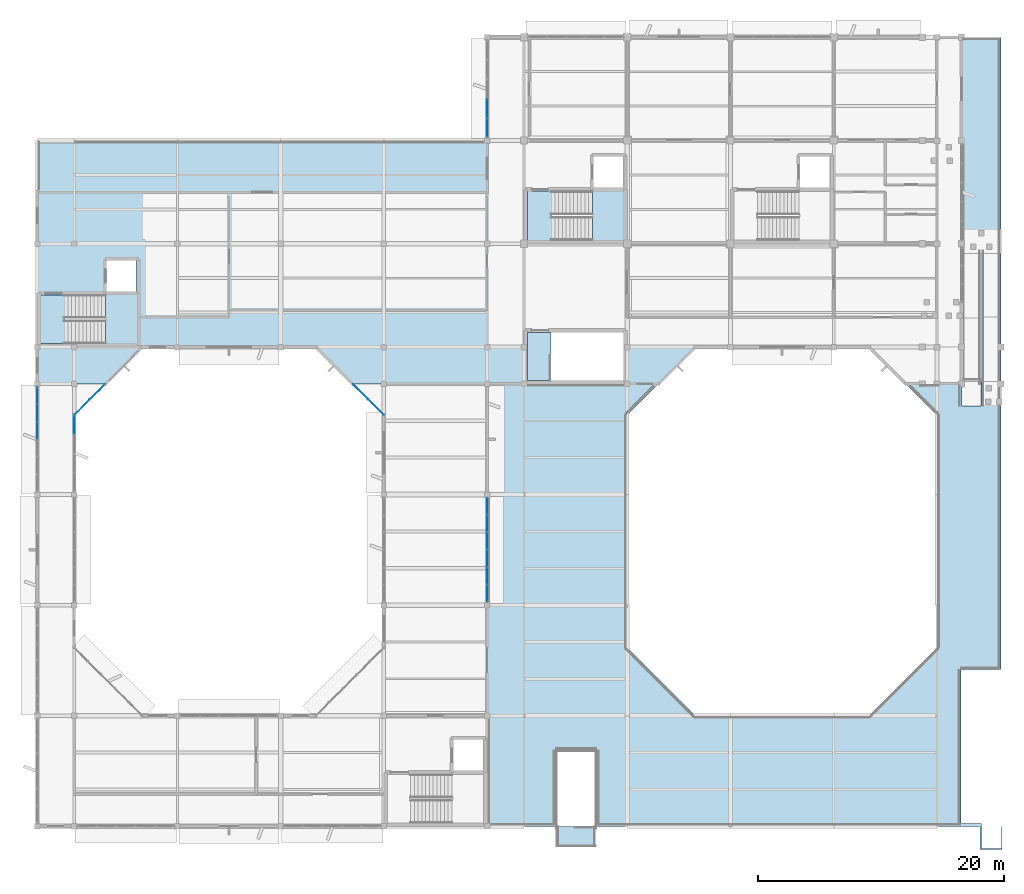
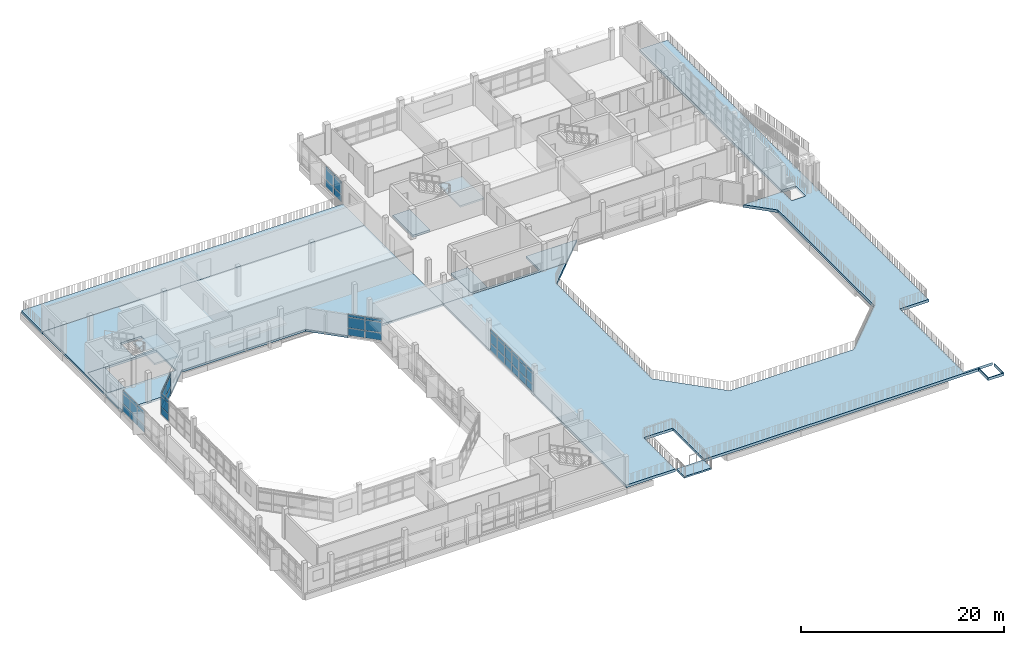
# One storey, part 19 of 42: 48 plates, 10 slabs, 8 elements without a shape of their own.
"""IFC4 building model written with IfcOpenShell, lengths in metres."""

from ifc_helpers import new_model, si_unit, direction, frame, origin, origin_2d, place, context, subcontext, project, spatial, polyline, rectangle, outline, extrude, material, layer, layer_set, type_object, element, aggregate, save


model = new_model("IFC4")

# Units and contexts
model_context = context("Model", 3, precision=1e-05, world=origin(), true_north=direction((0.0, 1.0)))
body_context = subcontext(model_context, "Body", "Model", "MODEL_VIEW")
ifc_project = project(units=[si_unit("LENGTHUNIT", "METRE"), si_unit("AREAUNIT", "SQUARE_METRE"), si_unit("VOLUMEUNIT", "CUBIC_METRE"), si_unit("PLANEANGLEUNIT", "RADIAN"), si_unit("MASSUNIT", "GRAM", prefix="KILO")], contexts=[model_context])

# Site, building, storey
site_placement = place(None, origin())
site = spatial("IfcSite", under=ifc_project, at=site_placement, CompositionType="ELEMENT")
building_placement = place(site_placement, origin())
building = spatial("IfcBuilding", under=site, at=building_placement, Name="Vanh Quang Courtyard School", CompositionType="ELEMENT")
storey_placement = place(building_placement, frame((0.0, 0.0, 15.0)))
storey = spatial("IfcBuildingStorey", under=building, at=storey_placement, Name="L04", CompositionType="ELEMENT", Elevation=15.0)

# Curtain wall, plates
ifc_material_1 = material(Name="Thermally broken aluminium unitised curtain wall", Category="aluminium")
curtain_wall_type_1 = type_object("IfcCurtainWallType", Name="CW-SYS-50", PredefinedType="NOTDEFINED", material=ifc_material_1)
curtain_wall_1_placement = place(storey_placement, origin())
curtain_wall_1 = element("IfcCurtainWall", 1, at=curtain_wall_1_placement, inside=storey, type_object=curtain_wall_type_1, Name="Curtain Wall CW-50 (L04)", PredefinedType="NOTDEFINED")
ifc_material_2 = material(Name="Low-E laminated double glazing", Category="glass")
ifc_layer_1 = layer(ifc_material_2, 0.028076171875)
ifc_layer_set_1 = layer_set([ifc_layer_1], Name="Low-E laminated double glazing")
plate_type_1 = type_object("IfcPlateType", Name="CW-PNL-28", PredefinedType="CURTAIN_PANEL", material=ifc_layer_set_1)
plate_1_placement = place(storey_placement, frame((37.800048828125, 64.611083984375, 0.06005859375), z_axis=(0.0, 0.0, 1.0), x_axis=(0.0, 1.0, 0.0)))
plate_1 = element("IfcPlate", 2, at=plate_1_placement, type_object=plate_type_1, Name="CW-50 panel 4.1", PredefinedType="CURTAIN_PANEL", context=body_context, shape_type="SweptSolid", body=[
    extrude(rectangle(XDim=1.3623046875, YDim=0.028076171875, at=origin_2d()), origin(), (0.0, 0.0, 1.0), 0.860107421875),
])
plate_2_placement = place(storey_placement, frame((37.800048828125, 64.611083984375, 0.97998046875), z_axis=(0.0, 0.0, 1.0), x_axis=(0.0, 1.0, 0.0)))
plate_2 = element("IfcPlate", 3, at=plate_2_placement, type_object=plate_type_1, Name="CW-50 panel 4.2", PredefinedType="CURTAIN_PANEL", context=body_context, shape_type="SweptSolid", body=[
    extrude(rectangle(XDim=1.3623046875, YDim=0.028076171875, at=origin_2d()), origin(), (0.0, 0.0, 1.0), 1.239990234375),
])
plate_3_placement = place(storey_placement, frame((37.800048828125, 64.611083984375, 2.280029296875), z_axis=(0.0, 0.0, 1.0), x_axis=(0.0, 1.0, 0.0)))
plate_3 = element("IfcPlate", 4, at=plate_3_placement, type_object=plate_type_1, Name="CW-50 panel 4.3", PredefinedType="CURTAIN_PANEL", context=body_context, shape_type="SweptSolid", body=[
    extrude(rectangle(XDim=1.3623046875, YDim=0.028076171875, at=origin_2d()), origin(), (0.0, 0.0, 1.0), 0.31005859375),
])
plate_4_placement = place(storey_placement, frame((37.800048828125, 66.033447265625, 0.06005859375), z_axis=(0.0, 0.0, 1.0), x_axis=(0.0, 1.0, 0.0)))
plate_4 = element("IfcPlate", 5, at=plate_4_placement, type_object=plate_type_1, Name="CW-50 panel 5.1", PredefinedType="CURTAIN_PANEL", context=body_context, shape_type="SweptSolid", body=[
    extrude(rectangle(XDim=1.3623046875, YDim=0.028076171875, at=origin_2d()), origin(), (0.0, 0.0, 1.0), 0.860107421875),
])
plate_5_placement = place(storey_placement, frame((37.800048828125, 66.033447265625, 0.97998046875), z_axis=(0.0, 0.0, 1.0), x_axis=(0.0, 1.0, 0.0)))
plate_5 = element("IfcPlate", 6, at=plate_5_placement, type_object=plate_type_1, Name="CW-50 panel 5.2", PredefinedType="CURTAIN_PANEL", context=body_context, shape_type="SweptSolid", body=[
    extrude(rectangle(XDim=1.3623046875, YDim=0.028076171875, at=origin_2d()), origin(), (0.0, 0.0, 1.0), 1.239990234375),
])
plate_6_placement = place(storey_placement, frame((37.800048828125, 66.033447265625, 2.280029296875), z_axis=(0.0, 0.0, 1.0), x_axis=(0.0, 1.0, 0.0)))
plate_6 = element("IfcPlate", 7, at=plate_6_placement, type_object=plate_type_1, Name="CW-50 panel 5.3", PredefinedType="CURTAIN_PANEL", context=body_context, shape_type="SweptSolid", body=[
    extrude(rectangle(XDim=1.3623046875, YDim=0.028076171875, at=origin_2d()), origin(), (0.0, 0.0, 1.0), 0.31005859375),
])
plate_7_placement = place(storey_placement, frame((37.800048828125, 67.44091796875, 0.06005859375), z_axis=(0.0, 0.0, 1.0), x_axis=(0.0, 1.0, 0.0)))
plate_7 = element("IfcPlate", 8, at=plate_7_placement, type_object=plate_type_1, Name="CW-50 panel 6.1", PredefinedType="CURTAIN_PANEL", context=body_context, shape_type="SweptSolid", body=[
    extrude(rectangle(XDim=1.332275390625, YDim=0.028076171875, at=origin_2d()), origin(), (0.0, 0.0, 1.0), 0.860107421875),
])
plate_8_placement = place(storey_placement, frame((37.800048828125, 67.44091796875, 0.97998046875), z_axis=(0.0, 0.0, 1.0), x_axis=(0.0, 1.0, 0.0)))
plate_8 = element("IfcPlate", 9, at=plate_8_placement, type_object=plate_type_1, Name="CW-50 panel 6.2", PredefinedType="CURTAIN_PANEL", context=body_context, shape_type="SweptSolid", body=[
    extrude(rectangle(XDim=1.332275390625, YDim=0.028076171875, at=origin_2d()), origin(), (0.0, 0.0, 1.0), 1.239990234375),
])
plate_9_placement = place(storey_placement, frame((37.800048828125, 67.44091796875, 2.280029296875), z_axis=(0.0, 0.0, 1.0), x_axis=(0.0, 1.0, 0.0)))
plate_9 = element("IfcPlate", 10, at=plate_9_placement, type_object=plate_type_1, Name="CW-50 panel 6.3", PredefinedType="CURTAIN_PANEL", context=body_context, shape_type="SweptSolid", body=[
    extrude(rectangle(XDim=1.332275390625, YDim=0.028076171875, at=origin_2d()), origin(), (0.0, 0.0, 1.0), 0.31005859375),
])
aggregate(curtain_wall_1, [plate_1, plate_2, plate_3, plate_4, plate_5, plate_6, plate_7, plate_8, plate_9])

curtain_wall_2_placement = place(storey_placement, origin())
curtain_wall_2 = element("IfcCurtainWall", 11, at=curtain_wall_2_placement, inside=storey, type_object=curtain_wall_type_1, Name="Curtain Wall CW-50 (L04)", PredefinedType="NOTDEFINED")
plate_10_placement = place(storey_placement, frame((74.39990234375, 58.44091796875, 0.06005859375), z_axis=(0.0, 0.0, 1.0), x_axis=(0.0, -1.0, 0.0)))
plate_10 = element("IfcPlate", 12, at=plate_10_placement, type_object=plate_type_1, Name="CW-50 panel 1.1", PredefinedType="CURTAIN_PANEL", context=body_context, shape_type="SweptSolid", body=[
    extrude(rectangle(XDim=1.332275390625, YDim=0.028076171875, at=origin_2d()), origin(), (0.0, 0.0, 1.0), 0.860107421875),
])
plate_11_placement = place(storey_placement, frame((74.39990234375, 58.44091796875, 0.97998046875), z_axis=(0.0, 0.0, 1.0), x_axis=(0.0, -1.0, 0.0)))
plate_11 = element("IfcPlate", 13, at=plate_11_placement, type_object=plate_type_1, Name="CW-50 panel 1.2", PredefinedType="CURTAIN_PANEL", context=body_context, shape_type="SweptSolid", body=[
    extrude(rectangle(XDim=1.332275390625, YDim=0.028076171875, at=origin_2d()), origin(), (0.0, 0.0, 1.0), 1.239990234375),
])
plate_12_placement = place(storey_placement, frame((74.39990234375, 58.44091796875, 2.280029296875), z_axis=(0.0, 0.0, 1.0), x_axis=(0.0, -1.0, 0.0)))
plate_12 = element("IfcPlate", 14, at=plate_12_placement, type_object=plate_type_1, Name="CW-50 panel 1.3", PredefinedType="CURTAIN_PANEL", context=body_context, shape_type="SweptSolid", body=[
    extrude(rectangle(XDim=1.332275390625, YDim=0.028076171875, at=origin_2d()), origin(), (0.0, 0.0, 1.0), 0.31005859375),
])
plate_13_placement = place(storey_placement, frame((74.39990234375, 57.033447265625, 0.06005859375), z_axis=(0.0, 0.0, 1.0), x_axis=(0.0, -1.0, 0.0)))
plate_13 = element("IfcPlate", 15, at=plate_13_placement, type_object=plate_type_1, Name="CW-50 panel 2.1", PredefinedType="CURTAIN_PANEL", context=body_context, shape_type="SweptSolid", body=[
    extrude(rectangle(XDim=1.3623046875, YDim=0.028076171875, at=origin_2d()), origin(), (0.0, 0.0, 1.0), 0.860107421875),
])
plate_14_placement = place(storey_placement, frame((74.39990234375, 57.033447265625, 0.97998046875), z_axis=(0.0, 0.0, 1.0), x_axis=(0.0, -1.0, 0.0)))
plate_14 = element("IfcPlate", 16, at=plate_14_placement, type_object=plate_type_1, Name="CW-50 panel 2.2", PredefinedType="CURTAIN_PANEL", context=body_context, shape_type="SweptSolid", body=[
    extrude(rectangle(XDim=1.3623046875, YDim=0.028076171875, at=origin_2d()), origin(), (0.0, 0.0, 1.0), 1.239990234375),
])
plate_15_placement = place(storey_placement, frame((74.39990234375, 57.033447265625, 2.280029296875), z_axis=(0.0, 0.0, 1.0), x_axis=(0.0, -1.0, 0.0)))
plate_15 = element("IfcPlate", 17, at=plate_15_placement, type_object=plate_type_1, Name="CW-50 panel 2.3", PredefinedType="CURTAIN_PANEL", context=body_context, shape_type="SweptSolid", body=[
    extrude(rectangle(XDim=1.3623046875, YDim=0.028076171875, at=origin_2d()), origin(), (0.0, 0.0, 1.0), 0.31005859375),
])
plate_16_placement = place(storey_placement, frame((74.39990234375, 55.611083984375, 0.06005859375), z_axis=(0.0, 0.0, 1.0), x_axis=(0.0, -1.0, 0.0)))
plate_16 = element("IfcPlate", 18, at=plate_16_placement, type_object=plate_type_1, Name="CW-50 panel 3.1", PredefinedType="CURTAIN_PANEL", context=body_context, shape_type="SweptSolid", body=[
    extrude(rectangle(XDim=1.3623046875, YDim=0.028076171875, at=origin_2d()), origin(), (0.0, 0.0, 1.0), 0.860107421875),
])
plate_17_placement = place(storey_placement, frame((74.39990234375, 55.611083984375, 0.97998046875), z_axis=(0.0, 0.0, 1.0), x_axis=(0.0, -1.0, 0.0)))
plate_17 = element("IfcPlate", 19, at=plate_17_placement, type_object=plate_type_1, Name="CW-50 panel 3.2", PredefinedType="CURTAIN_PANEL", context=body_context, shape_type="SweptSolid", body=[
    extrude(rectangle(XDim=1.3623046875, YDim=0.028076171875, at=origin_2d()), origin(), (0.0, 0.0, 1.0), 1.239990234375),
])
plate_18_placement = place(storey_placement, frame((74.39990234375, 55.611083984375, 2.280029296875), z_axis=(0.0, 0.0, 1.0), x_axis=(0.0, -1.0, 0.0)))
plate_18 = element("IfcPlate", 20, at=plate_18_placement, type_object=plate_type_1, Name="CW-50 panel 3.3", PredefinedType="CURTAIN_PANEL", context=body_context, shape_type="SweptSolid", body=[
    extrude(rectangle(XDim=1.3623046875, YDim=0.028076171875, at=origin_2d()), origin(), (0.0, 0.0, 1.0), 0.31005859375),
])
plate_19_placement = place(storey_placement, frame((74.39990234375, 54.188720703125, 0.06005859375), z_axis=(0.0, 0.0, 1.0), x_axis=(0.0, -1.0, 0.0)))
plate_19 = element("IfcPlate", 21, at=plate_19_placement, type_object=plate_type_1, Name="CW-50 panel 4.1", PredefinedType="CURTAIN_PANEL", context=body_context, shape_type="SweptSolid", body=[
    extrude(rectangle(XDim=1.3623046875, YDim=0.028076171875, at=origin_2d()), origin(), (0.0, 0.0, 1.0), 0.860107421875),
])
plate_20_placement = place(storey_placement, frame((74.39990234375, 54.188720703125, 0.97998046875), z_axis=(0.0, 0.0, 1.0), x_axis=(0.0, -1.0, 0.0)))
plate_20 = element("IfcPlate", 22, at=plate_20_placement, type_object=plate_type_1, Name="CW-50 panel 4.2", PredefinedType="CURTAIN_PANEL", context=body_context, shape_type="SweptSolid", body=[
    extrude(rectangle(XDim=1.3623046875, YDim=0.028076171875, at=origin_2d()), origin(), (0.0, 0.0, 1.0), 1.239990234375),
])
plate_21_placement = place(storey_placement, frame((74.39990234375, 54.188720703125, 2.280029296875), z_axis=(0.0, 0.0, 1.0), x_axis=(0.0, -1.0, 0.0)))
plate_21 = element("IfcPlate", 23, at=plate_21_placement, type_object=plate_type_1, Name="CW-50 panel 4.3", PredefinedType="CURTAIN_PANEL", context=body_context, shape_type="SweptSolid", body=[
    extrude(rectangle(XDim=1.3623046875, YDim=0.028076171875, at=origin_2d()), origin(), (0.0, 0.0, 1.0), 0.31005859375),
])
plate_22_placement = place(storey_placement, frame((74.39990234375, 52.7666015625, 0.06005859375), z_axis=(0.0, 0.0, 1.0), x_axis=(0.0, -1.0, 0.0)))
plate_22 = element("IfcPlate", 24, at=plate_22_placement, type_object=plate_type_1, Name="CW-50 panel 5.1", PredefinedType="CURTAIN_PANEL", context=body_context, shape_type="SweptSolid", body=[
    extrude(rectangle(XDim=1.3623046875, YDim=0.028076171875, at=origin_2d()), origin(), (0.0, 0.0, 1.0), 0.860107421875),
])
plate_23_placement = place(storey_placement, frame((74.39990234375, 52.7666015625, 0.97998046875), z_axis=(0.0, 0.0, 1.0), x_axis=(0.0, -1.0, 0.0)))
plate_23 = element("IfcPlate", 25, at=plate_23_placement, type_object=plate_type_1, Name="CW-50 panel 5.2", PredefinedType="CURTAIN_PANEL", context=body_context, shape_type="SweptSolid", body=[
    extrude(rectangle(XDim=1.3623046875, YDim=0.028076171875, at=origin_2d()), origin(), (0.0, 0.0, 1.0), 1.239990234375),
])
plate_24_placement = place(storey_placement, frame((74.39990234375, 52.7666015625, 2.280029296875), z_axis=(0.0, 0.0, 1.0), x_axis=(0.0, -1.0, 0.0)))
plate_24 = element("IfcPlate", 26, at=plate_24_placement, type_object=plate_type_1, Name="CW-50 panel 5.3", PredefinedType="CURTAIN_PANEL", context=body_context, shape_type="SweptSolid", body=[
    extrude(rectangle(XDim=1.3623046875, YDim=0.028076171875, at=origin_2d()), origin(), (0.0, 0.0, 1.0), 0.31005859375),
])
plate_25_placement = place(storey_placement, frame((74.39990234375, 51.359130859375, 0.06005859375), z_axis=(0.0, 0.0, 1.0), x_axis=(0.0, -1.0, 0.0)))
plate_25 = element("IfcPlate", 27, at=plate_25_placement, type_object=plate_type_1, Name="CW-50 panel 6.1", PredefinedType="CURTAIN_PANEL", context=body_context, shape_type="SweptSolid", body=[
    extrude(rectangle(XDim=1.332275390625, YDim=0.028076171875, at=origin_2d()), origin(), (0.0, 0.0, 1.0), 0.860107421875),
])
plate_26_placement = place(storey_placement, frame((74.39990234375, 51.359130859375, 0.97998046875), z_axis=(0.0, 0.0, 1.0), x_axis=(0.0, -1.0, 0.0)))
plate_26 = element("IfcPlate", 28, at=plate_26_placement, type_object=plate_type_1, Name="CW-50 panel 6.2", PredefinedType="CURTAIN_PANEL", context=body_context, shape_type="SweptSolid", body=[
    extrude(rectangle(XDim=1.332275390625, YDim=0.028076171875, at=origin_2d()), origin(), (0.0, 0.0, 1.0), 1.239990234375),
])
plate_27_placement = place(storey_placement, frame((74.39990234375, 51.359130859375, 2.280029296875), z_axis=(0.0, 0.0, 1.0), x_axis=(0.0, -1.0, 0.0)))
plate_27 = element("IfcPlate", 29, at=plate_27_placement, type_object=plate_type_1, Name="CW-50 panel 6.3", PredefinedType="CURTAIN_PANEL", context=body_context, shape_type="SweptSolid", body=[
    extrude(rectangle(XDim=1.332275390625, YDim=0.028076171875, at=origin_2d()), origin(), (0.0, 0.0, 1.0), 0.31005859375),
])
aggregate(curtain_wall_2, [plate_10, plate_11, plate_12, plate_13, plate_14, plate_15, plate_16, plate_17, plate_18, plate_19, plate_20, plate_21, plate_22, plate_23, plate_24, plate_25, plate_26, plate_27])

curtain_wall_type_2 = type_object("IfcCurtainWallType", Name="CW-SYS-41", PredefinedType="NOTDEFINED", material=ifc_material_1)
curtain_wall_3_placement = place(storey_placement, origin())
curtain_wall_3 = element("IfcCurtainWall", 30, at=curtain_wall_3_placement, inside=storey, type_object=curtain_wall_type_2, Name="Curtain Wall CW-41 (L04)", PredefinedType="NOTDEFINED")
plate_28_placement = place(storey_placement, frame((42.695556640625, 67.751708984375, 0.06982421875), z_axis=(0.0, 0.0, 1.0), x_axis=(-0.707106781187, -0.707106781187, 0.0)))
plate_28 = element("IfcPlate", 31, at=plate_28_placement, type_object=plate_type_1, Name="CW-41 panel 1.1", PredefinedType="CURTAIN_PANEL", context=body_context, shape_type="SweptSolid", body=[
    extrude(rectangle(XDim=1.69384765625, YDim=0.028076171875, at=origin_2d()), origin(), (0.0, 0.0, 1.0), 0.844970703125),
])
plate_29_placement = place(storey_placement, frame((42.695556640625, 67.751708984375, 0.985107421875), z_axis=(0.0, 0.0, 1.0), x_axis=(-0.707106781187, -0.707106781187, 0.0)))
plate_29 = element("IfcPlate", 32, at=plate_29_placement, type_object=plate_type_1, Name="CW-41 panel 1.2", PredefinedType="CURTAIN_PANEL", context=body_context, shape_type="SweptSolid", body=[
    extrude(rectangle(XDim=1.69384765625, YDim=0.028076171875, at=origin_2d()), origin(), (0.0, 0.0, 1.0), 1.22998046875),
])
plate_30_placement = place(storey_placement, frame((42.695556640625, 67.751708984375, 2.28515625), z_axis=(0.0, 0.0, 1.0), x_axis=(-0.707106781187, -0.707106781187, 0.0)))
plate_30 = element("IfcPlate", 33, at=plate_30_placement, type_object=plate_type_1, Name="CW-41 panel 1.3", PredefinedType="CURTAIN_PANEL", context=body_context, shape_type="SweptSolid", body=[
    extrude(rectangle(XDim=1.69384765625, YDim=0.028076171875, at=origin_2d()), origin(), (0.0, 0.0, 1.0), 0.294921875),
])
plate_31_placement = place(storey_placement, frame((41.448486328125, 66.50439453125, 0.06982421875), z_axis=(0.0, 0.0, 1.0), x_axis=(-0.707106781187, -0.707106781187, 0.0)))
plate_31 = element("IfcPlate", 34, at=plate_31_placement, type_object=plate_type_1, Name="CW-41 panel 2.1", PredefinedType="CURTAIN_PANEL", context=body_context, shape_type="SweptSolid", body=[
    extrude(rectangle(XDim=1.69384765625, YDim=0.028076171875, at=origin_2d()), origin(), (0.0, 0.0, 1.0), 0.844970703125),
])
plate_32_placement = place(storey_placement, frame((41.448486328125, 66.50439453125, 0.985107421875), z_axis=(0.0, 0.0, 1.0), x_axis=(-0.707106781187, -0.707106781187, 0.0)))
plate_32 = element("IfcPlate", 35, at=plate_32_placement, type_object=plate_type_1, Name="CW-41 panel 2.2", PredefinedType="CURTAIN_PANEL", context=body_context, shape_type="SweptSolid", body=[
    extrude(rectangle(XDim=1.69384765625, YDim=0.028076171875, at=origin_2d()), origin(), (0.0, 0.0, 1.0), 1.22998046875),
])
plate_33_placement = place(storey_placement, frame((41.448486328125, 66.50439453125, 2.28515625), z_axis=(0.0, 0.0, 1.0), x_axis=(-0.707106781187, -0.707106781187, 0.0)))
plate_33 = element("IfcPlate", 36, at=plate_33_placement, type_object=plate_type_1, Name="CW-41 panel 2.3", PredefinedType="CURTAIN_PANEL", context=body_context, shape_type="SweptSolid", body=[
    extrude(rectangle(XDim=1.69384765625, YDim=0.028076171875, at=origin_2d()), origin(), (0.0, 0.0, 1.0), 0.294921875),
])
aggregate(curtain_wall_3, [plate_28, plate_29, plate_30, plate_31, plate_32, plate_33])

curtain_wall_type_3 = type_object("IfcCurtainWallType", Name="CW-SYS-19", PredefinedType="NOTDEFINED", material=ifc_material_1)
curtain_wall_4_placement = place(storey_placement, origin())
curtain_wall_4 = element("IfcCurtainWall", 37, at=curtain_wall_4_placement, inside=storey, type_object=curtain_wall_type_3, Name="Curtain Wall CW-19 (L04)", PredefinedType="NOTDEFINED")
ifc_layer_2 = layer(ifc_material_2, 0.031982421875)
ifc_layer_set_2 = layer_set([ifc_layer_2], Name="Low-E laminated double glazing")
plate_type_2 = type_object("IfcPlateType", Name="CW-PNL-32", PredefinedType="CURTAIN_PANEL", material=ifc_layer_set_2)
plate_34_placement = place(storey_placement, frame((74.39990234375, 89.243896484375, 0.06982421875), z_axis=(0.0, 0.0, 1.0), x_axis=(0.0, 1.0, 0.0)))
plate_34 = element("IfcPlate", 38, at=plate_34_placement, type_object=plate_type_2, Name="CW-19 panel 1.1", PredefinedType="CURTAIN_PANEL", context=body_context, shape_type="SweptSolid", body=[
    extrude(rectangle(XDim=1.481689453125, YDim=0.031982421875, at=origin_2d()), origin(), (0.0, 0.0, 1.0), 0.844970703125),
])
plate_35_placement = place(storey_placement, frame((74.39990234375, 89.243896484375, 0.985107421875), z_axis=(0.0, 0.0, 1.0), x_axis=(0.0, 1.0, 0.0)))
plate_35 = element("IfcPlate", 39, at=plate_35_placement, type_object=plate_type_2, Name="CW-19 panel 1.2", PredefinedType="CURTAIN_PANEL", context=body_context, shape_type="SweptSolid", body=[
    extrude(rectangle(XDim=1.481689453125, YDim=0.031982421875, at=origin_2d()), origin(), (0.0, 0.0, 1.0), 1.22998046875),
])
plate_36_placement = place(storey_placement, frame((74.39990234375, 89.243896484375, 2.284912109375), z_axis=(0.0, 0.0, 1.0), x_axis=(0.0, 1.0, 0.0)))
plate_36 = element("IfcPlate", 40, at=plate_36_placement, type_object=plate_type_2, Name="CW-19 panel 1.3", PredefinedType="CURTAIN_PANEL", context=body_context, shape_type="SweptSolid", body=[
    extrude(rectangle(XDim=1.481689453125, YDim=0.031982421875, at=origin_2d()), origin(), (0.0, 0.0, 1.0), 0.22509765625),
])
plate_37_placement = place(storey_placement, frame((74.39990234375, 90.813232421875, 0.06982421875), z_axis=(0.0, 0.0, 1.0), x_axis=(0.0, 1.0, 0.0)))
plate_37 = element("IfcPlate", 41, at=plate_37_placement, type_object=plate_type_2, Name="CW-19 panel 2.1", PredefinedType="CURTAIN_PANEL", context=body_context, shape_type="SweptSolid", body=[
    extrude(rectangle(XDim=1.516845703125, YDim=0.031982421875, at=origin_2d()), origin(), (0.0, 0.0, 1.0), 0.844970703125),
])
plate_38_placement = place(storey_placement, frame((74.39990234375, 90.813232421875, 0.985107421875), z_axis=(0.0, 0.0, 1.0), x_axis=(0.0, 1.0, 0.0)))
plate_38 = element("IfcPlate", 42, at=plate_38_placement, type_object=plate_type_2, Name="CW-19 panel 2.2", PredefinedType="CURTAIN_PANEL", context=body_context, shape_type="SweptSolid", body=[
    extrude(rectangle(XDim=1.516845703125, YDim=0.031982421875, at=origin_2d()), origin(), (0.0, 0.0, 1.0), 1.22998046875),
])
plate_39_placement = place(storey_placement, frame((74.39990234375, 90.813232421875, 2.284912109375), z_axis=(0.0, 0.0, 1.0), x_axis=(0.0, 1.0, 0.0)))
plate_39 = element("IfcPlate", 43, at=plate_39_placement, type_object=plate_type_2, Name="CW-19 panel 2.3", PredefinedType="CURTAIN_PANEL", context=body_context, shape_type="SweptSolid", body=[
    extrude(rectangle(XDim=1.516845703125, YDim=0.031982421875, at=origin_2d()), origin(), (0.0, 0.0, 1.0), 0.22509765625),
])
aggregate(curtain_wall_4, [plate_34, plate_35, plate_36, plate_37, plate_38, plate_39])

curtain_wall_type_4 = type_object("IfcCurtainWallType", Name="CW-SYS-44", PredefinedType="NOTDEFINED", material=ifc_material_1)
curtain_wall_5_placement = place(storey_placement, origin())
curtain_wall_5 = element("IfcCurtainWall", 44, at=curtain_wall_5_placement, inside=storey, type_object=curtain_wall_type_4, Name="Curtain Wall CW-44 (L04)", PredefinedType="NOTDEFINED")
plate_40_placement = place(storey_placement, frame((40.800048828125, 65.063232421875, 0.06005859375), z_axis=(0.0, 0.0, 1.0), x_axis=(0.0, -1.0, 0.0)))
plate_40 = element("IfcPlate", 45, at=plate_40_placement, type_object=plate_type_2, Name="CW-44 panel 1.1", PredefinedType="CURTAIN_PANEL", context=body_context, shape_type="SweptSolid", body=[
    extrude(rectangle(XDim=1.4658203125, YDim=0.031982421875, at=origin_2d()), origin(), (0.0, 0.0, 1.0), 0.860107421875),
])
plate_41_placement = place(storey_placement, frame((40.800048828125, 65.063232421875, 0.97998046875), z_axis=(0.0, 0.0, 1.0), x_axis=(0.0, -1.0, 0.0)))
plate_41 = element("IfcPlate", 46, at=plate_41_placement, type_object=plate_type_2, Name="CW-44 panel 1.2", PredefinedType="CURTAIN_PANEL", context=body_context, shape_type="SweptSolid", body=[
    extrude(rectangle(XDim=1.4658203125, YDim=0.031982421875, at=origin_2d()), origin(), (0.0, 0.0, 1.0), 1.239990234375),
])
plate_42_placement = place(storey_placement, frame((40.800048828125, 65.063232421875, 2.280029296875), z_axis=(0.0, 0.0, 1.0), x_axis=(0.0, -1.0, 0.0)))
plate_42 = element("IfcPlate", 47, at=plate_42_placement, type_object=plate_type_2, Name="CW-44 panel 1.3", PredefinedType="CURTAIN_PANEL", context=body_context, shape_type="SweptSolid", body=[
    extrude(rectangle(XDim=1.4658203125, YDim=0.031982421875, at=origin_2d()), origin(), (0.0, 0.0, 1.0), 0.31005859375),
])
aggregate(curtain_wall_5, [plate_40, plate_41, plate_42])

curtain_wall_6_placement = place(storey_placement, origin())
curtain_wall_6 = element("IfcCurtainWall", 48, at=curtain_wall_6_placement, inside=storey, type_object=curtain_wall_type_2, Name="Curtain Wall CW-41 (L04)", PredefinedType="NOTDEFINED")
plate_43_placement = place(storey_placement, frame((65.353271484375, 66.502685546875, 0.06005859375), z_axis=(0.0, 0.0, 1.0), x_axis=(-0.707106781187, 0.707106781187, 0.0)))
plate_43 = element("IfcPlate", 49, at=plate_43_placement, type_object=plate_type_2, Name="CW-41 panel 1.1", PredefinedType="CURTAIN_PANEL", context=body_context, shape_type="SweptSolid", body=[
    extrude(rectangle(XDim=1.708984375, YDim=0.031982421875, at=origin_2d()), origin(), (0.0, 0.0, 1.0), 0.860107421875),
])
plate_44_placement = place(storey_placement, frame((65.353271484375, 66.502685546875, 0.97998046875), z_axis=(0.0, 0.0, 1.0), x_axis=(-0.707106781187, 0.707106781187, 0.0)))
plate_44 = element("IfcPlate", 50, at=plate_44_placement, type_object=plate_type_2, Name="CW-41 panel 1.2", PredefinedType="CURTAIN_PANEL", context=body_context, shape_type="SweptSolid", body=[
    extrude(rectangle(XDim=1.708984375, YDim=0.031982421875, at=origin_2d()), origin(), (0.0, 0.0, 1.0), 1.239990234375),
])
plate_45_placement = place(storey_placement, frame((65.353271484375, 66.502685546875, 2.280029296875), z_axis=(0.0, 0.0, 1.0), x_axis=(-0.707106781187, 0.707106781187, 0.0)))
plate_45 = element("IfcPlate", 51, at=plate_45_placement, type_object=plate_type_2, Name="CW-41 panel 1.3", PredefinedType="CURTAIN_PANEL", context=body_context, shape_type="SweptSolid", body=[
    extrude(rectangle(XDim=1.708984375, YDim=0.031982421875, at=origin_2d()), origin(), (0.0, 0.0, 1.0), 0.31005859375),
])
plate_46_placement = place(storey_placement, frame((64.1025390625, 67.75341796875, 0.06005859375), z_axis=(0.0, 0.0, 1.0), x_axis=(-0.707106781187, 0.707106781187, 0.0)))
plate_46 = element("IfcPlate", 52, at=plate_46_placement, type_object=plate_type_2, Name="CW-41 panel 2.1", PredefinedType="CURTAIN_PANEL", context=body_context, shape_type="SweptSolid", body=[
    extrude(rectangle(XDim=1.708984375, YDim=0.031982421875, at=origin_2d()), origin(), (0.0, 0.0, 1.0), 0.860107421875),
])
plate_47_placement = place(storey_placement, frame((64.1025390625, 67.75341796875, 0.97998046875), z_axis=(0.0, 0.0, 1.0), x_axis=(-0.707106781187, 0.707106781187, 0.0)))
plate_47 = element("IfcPlate", 53, at=plate_47_placement, type_object=plate_type_2, Name="CW-41 panel 2.2", PredefinedType="CURTAIN_PANEL", context=body_context, shape_type="SweptSolid", body=[
    extrude(rectangle(XDim=1.708984375, YDim=0.031982421875, at=origin_2d()), origin(), (0.0, 0.0, 1.0), 1.239990234375),
])
plate_48_placement = place(storey_placement, frame((64.1025390625, 67.75341796875, 2.280029296875), z_axis=(0.0, 0.0, 1.0), x_axis=(-0.707106781187, 0.707106781187, 0.0)))
plate_48 = element("IfcPlate", 54, at=plate_48_placement, type_object=plate_type_2, Name="CW-41 panel 2.3", PredefinedType="CURTAIN_PANEL", context=body_context, shape_type="SweptSolid", body=[
    extrude(rectangle(XDim=1.708984375, YDim=0.031982421875, at=origin_2d()), origin(), (0.0, 0.0, 1.0), 0.31005859375),
])
aggregate(curtain_wall_6, [plate_43, plate_44, plate_45, plate_46, plate_47, plate_48])

# Slabs
ifc_material_3 = material(Name="Concrete C30/37", Category="concrete")
ifc_layer_3 = layer(ifc_material_3, 0.260009765625)
ifc_layer_set_3 = layer_set([ifc_layer_3], Name="Concrete C30/37")
slab_type_1 = type_object("IfcSlabType", Name="SLB-FLR-260", PredefinedType="FLOOR", material=ifc_layer_set_3)
slab_1_placement = place(storey_placement, frame((0.0, 0.0, -0.260009765625)))
element("IfcSlab", 55, at=slab_1_placement, inside=storey, type_object=slab_type_1, Name="Slab SF-03 (L04)", PredefinedType="FLOOR", context=body_context, shape_type="SweptSolid", body=[
    extrude(outline(polyline([(43.343994140625, 68.39990234375), (46.343994140625, 71.39990234375), (60.4560546875, 71.39990234375), (63.4560546875, 68.39990234375), (74.39990234375, 68.39990234375), (74.39990234375, 84.0), (37.800048828125, 84.0), (37.800048828125, 68.39990234375), (43.343994140625, 68.39990234375)]), holes=[polyline([(45.919921875, 71.679931640625), (38.080078125, 71.679931640625), (38.080078125, 75.639892578125), (45.919921875, 75.639892578125), (45.919921875, 71.679931640625)]), polyline([(45.85009765625, 75.919921875), (43.449951171875, 75.919921875), (43.449951171875, 78.469970703125), (45.85009765625, 78.469970703125), (45.85009765625, 75.919921875)])]), origin(), (0.0, 0.0, 1.0), 0.260009765625),
])
slab_2_placement = place(storey_placement, frame((0.0, 0.0, -0.260009765625)))
element("IfcSlab", 56, at=slab_2_placement, inside=storey, type_object=slab_type_1, Name="Slab SF-03 (L04)", PredefinedType="FLOOR", context=body_context, shape_type="SweptSolid", body=[
    extrude(outline(polyline([(91.343994140625, 71.39990234375), (85.52001953125, 71.39990234375), (85.52001953125, 68.679931640625), (77.679931640625, 68.679931640625), (77.679931640625, 71.39990234375), (74.39990234375, 71.39990234375), (74.39990234375, 68.39990234375), (88.343994140625, 68.39990234375), (91.343994140625, 71.39990234375)])), origin(), (0.0, 0.0, 1.0), 0.260009765625),
])
ifc_layer_4 = layer(ifc_material_3, 0.280029296875)
ifc_layer_set_4 = layer_set([ifc_layer_4], Name="Concrete C30/37")
slab_type_2 = type_object("IfcSlabType", Name="SLB-FLR-280", PredefinedType="FLOOR", material=ifc_layer_set_4)
slab_3_placement = place(storey_placement, frame((0.0, 0.0, -0.280029296875)))
element("IfcSlab", 57, at=slab_3_placement, inside=storey, type_object=slab_type_2, Name="Slab SF-02 (L04)", PredefinedType="FLOOR", context=body_context, shape_type="SweptSolid", body=[
    extrude(outline(polyline([(79.6298828125, 80.080078125), (77.679931640625, 80.080078125), (77.679931640625, 84.080078125), (79.6298828125, 84.080078125), (79.6298828125, 80.080078125)])), origin(), (0.0, 0.0, 1.0), 0.280029296875),
])
slab_4_placement = place(storey_placement, frame((0.0, 0.0, -0.280029296875)))
element("IfcSlab", 58, at=slab_4_placement, inside=storey, type_object=slab_type_2, Name="Slab SF-02 (L04)", PredefinedType="FLOOR", context=body_context, shape_type="SweptSolid", body=[
    extrude(outline(polyline([(40.010009765625, 71.679931640625), (38.080078125, 71.679931640625), (38.080078125, 75.639892578125), (40.010009765625, 75.639892578125), (40.010009765625, 71.679931640625)])), origin(), (0.0, 0.0, 1.0), 0.280029296875),
])
slab_5_placement = place(storey_placement, frame((0.0, 0.0, -0.280029296875)))
element("IfcSlab", 59, at=slab_5_placement, inside=storey, type_object=slab_type_2, Name="Slab SF-02 (L04)", PredefinedType="FLOOR", context=body_context, shape_type="SweptSolid", body=[
    extrude(outline(polyline([(79.590087890625, 68.679931640625), (77.679931640625, 68.679931640625), (77.679931640625, 71.39990234375), (77.679931640625, 72.60009765625), (79.590087890625, 72.60009765625), (79.590087890625, 68.679931640625)])), origin(), (0.0, 0.0, 1.0), 0.280029296875),
])

# Stair, slab
stair_type_1 = type_object("IfcStairType", Name="STR-CORE-1920", PredefinedType="HALF_TURN_STAIR", material=ifc_material_3)
stair_1_placement = place(storey_placement, origin())
stair_1 = element("IfcStair", 60, at=stair_1_placement, inside=storey, type_object=stair_type_1, Name="L04 ST-01", PredefinedType="HALF_TURN_STAIR")
ifc_layer_5 = layer(ifc_material_3, 0.199951171875)
ifc_layer_set_5 = layer_set([ifc_layer_5], Name="Concrete C30/37")
slab_type_3 = type_object("IfcSlabType", Name="SLB-LND-200", PredefinedType="LANDING", material=ifc_layer_set_5)
slab_6_placement = place(storey_placement, frame((0.0, 0.0, 1.60009765625)))
slab_6 = element("IfcSlab", 61, at=slab_6_placement, type_object=slab_type_3, Name="ST-01 landing 1", PredefinedType="LANDING", context=body_context, shape_type="SweptSolid", body=[
    extrude(outline(polyline([(82.955078125, 79.919921875), (85.679931640625, 79.919921875), (85.679931640625, 84.239990234375), (82.955078125, 84.239990234375), (82.955078125, 79.919921875)])), origin(), (0.0, 0.0, 1.0), 0.199951171875),
])
aggregate(stair_1, [slab_6])

stair_type_2 = type_object("IfcStairType", Name="STR-CORE-1900", PredefinedType="HALF_TURN_STAIR", material=ifc_material_3)
stair_2_placement = place(storey_placement, origin())
stair_2 = element("IfcStair", 62, at=stair_2_placement, inside=storey, type_object=stair_type_2, Name="L04 ST-03", PredefinedType="HALF_TURN_STAIR")
slab_7_placement = place(storey_placement, frame((0.0, 0.0, 1.60009765625)))
slab_7 = element("IfcSlab", 63, at=slab_7_placement, type_object=slab_type_3, Name="ST-03 landing 1", PredefinedType="LANDING", context=body_context, shape_type="SweptSolid", body=[
    extrude(outline(polyline([(43.3349609375, 71.52001953125), (46.080078125, 71.52001953125), (46.080078125, 75.800048828125), (43.3349609375, 75.800048828125), (43.3349609375, 71.52001953125)])), origin(), (0.0, 0.0, 1.0), 0.199951171875),
])
aggregate(stair_2, [slab_7])

# Slabs
ifc_material_4 = material(Name="Concrete C35/45", Category="concrete")
ifc_layer_6 = layer(ifc_material_4, 0.320068359375)
ifc_layer_set_6 = layer_set([ifc_layer_6], Name="Concrete C35/45")
slab_type_4 = type_object("IfcSlabType", Name="SLB-PDK-320", PredefinedType="FLOOR", material=ifc_layer_set_6)
slab_8_placement = place(storey_placement, frame((0.0, 0.0, -0.320068359375)))
element("IfcSlab", 64, at=slab_8_placement, inside=storey, type_object=slab_type_4, Name="Slab SP-01 (L04)", PredefinedType="FLOOR", context=body_context, shape_type="SweptSolid", body=[
    extrude(outline(polyline([(114.5, 32.39990234375), (114.5, 30.5), (116.300048828125, 30.5), (116.300048828125, 32.39990234375), (116.2548828125, 32.39990234375), (116.2548828125, 30.60009765625), (116.25048828125, 30.58935546875), (116.239990234375, 30.5849609375), (114.6201171875, 30.5849609375), (114.609375, 30.58935546875), (114.60498046875, 30.60009765625), (114.60498046875, 32.60009765625), (114.6083984375, 32.609619140625), (114.6201171875, 32.614990234375), (116.199951171875, 32.614990234375), (116.199951171875, 32.6201171875), (112.949951171875, 32.6201171875), (112.949951171875, 45.14990234375), (116.199951171875, 45.14990234375), (116.199951171875, 96.60009765625), (113.0, 96.60009765625), (113.0, 68.614990234375), (114.580078125, 68.614990234375), (114.591552734375, 68.609619140625), (114.594970703125, 68.60009765625), (114.594482421875, 66.595703125), (114.589599609375, 66.58837890625), (114.580078125, 66.5849609375), (113.0, 66.5849609375), (112.98828125, 66.590576171875), (112.985107421875, 66.60009765625), (112.985107421875, 68.39990234375), (108.4560546875, 68.39990234375), (111.0, 65.85595703125), (111.0, 46.944091796875), (105.4560546875, 41.39990234375), (91.343994140625, 41.39990234375), (85.800048828125, 46.944091796875), (85.800048828125, 65.85595703125), (88.343994140625, 68.39990234375), (74.39990234375, 68.39990234375), (74.39990234375, 32.39990234375), (80.0, 32.39990234375), (80.0, 38.60009765625), (83.300048828125, 38.60009765625), (83.300048828125, 32.39990234375), (114.5, 32.39990234375)])), origin(), (0.0, 0.0, 1.0), 0.320068359375),
])
slab_9_placement = place(storey_placement, frame((0.0, 0.0, -0.320068359375)))
element("IfcSlab", 65, at=slab_9_placement, inside=storey, type_object=slab_type_4, Name="Slab SP-01 (L04)", PredefinedType="FLOOR", context=body_context, shape_type="SweptSolid", body=[
    extrude(outline(polyline([(74.39990234375, 88.199951171875), (37.800048828125, 88.199951171875), (37.800048828125, 84.0), (74.39990234375, 84.0), (74.39990234375, 88.199951171875)])), origin(), (0.0, 0.0, 1.0), 0.320068359375),
])
ifc_layer_7 = layer(ifc_material_3, 0.199951171875)
ifc_layer_set_7 = layer_set([ifc_layer_7], Name="Concrete C30/37")
slab_type_5 = type_object("IfcSlabType", Name="SLB-TLND-200", PredefinedType="LANDING", material=ifc_layer_set_7)
slab_10_placement = place(storey_placement, frame((0.0, 0.0, -0.199951171875)))
element("IfcSlab", 66, at=slab_10_placement, inside=storey, type_object=slab_type_5, Name="Slab SL-02 (L04)", PredefinedType="LANDING", context=body_context, shape_type="SweptSolid", body=[
    extrude(outline(polyline([(80.10009765625, 30.800048828125), (83.199951171875, 30.800048828125), (83.199951171875, 32.3798828125), (80.10009765625, 32.3798828125), (80.10009765625, 30.800048828125)])), origin(), (0.0, 0.0, 1.0), 0.199951171875),
])

save(model, "model.ifc")
